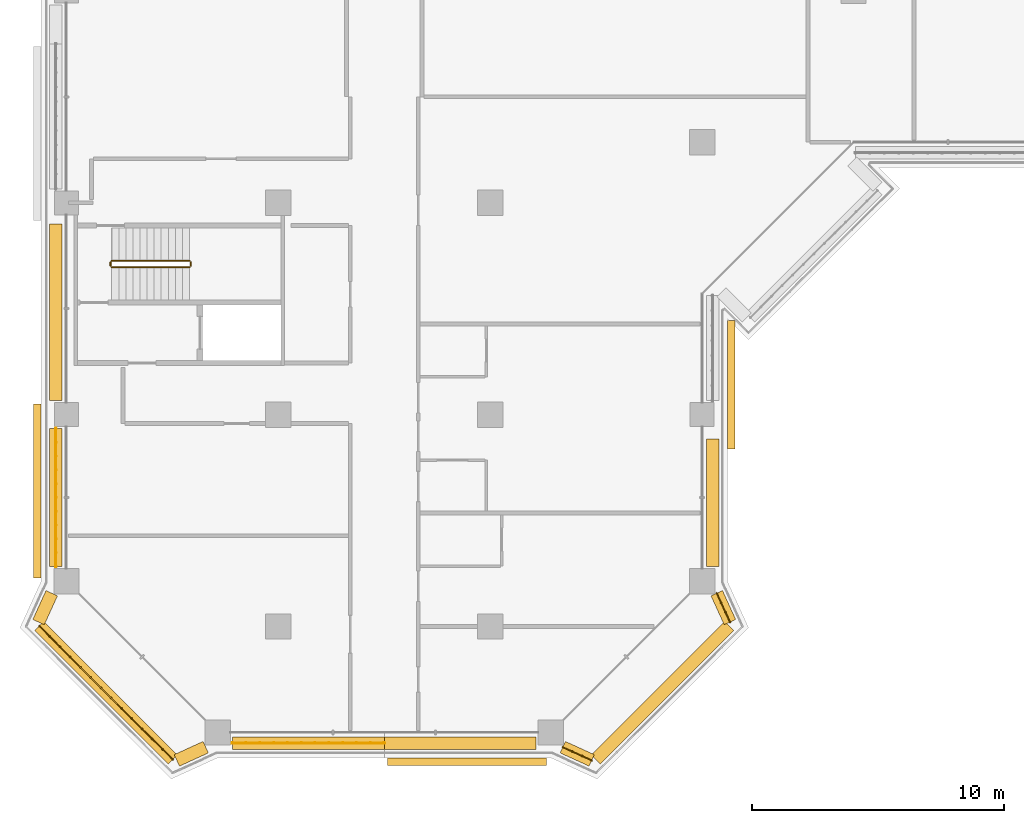
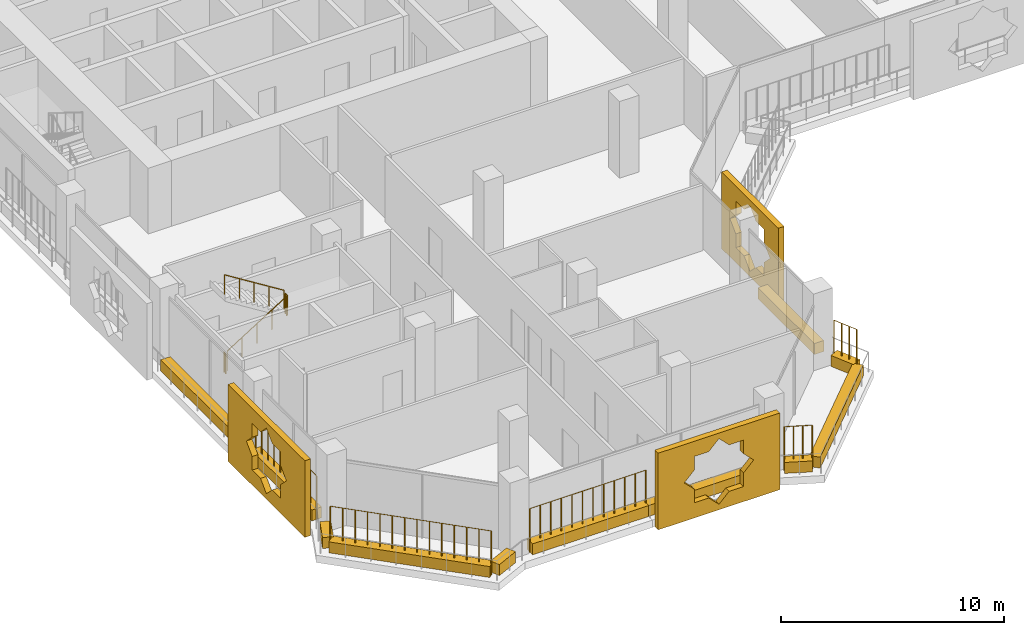
# One storey, part 16 of 22: 14 coverings, 9 railings.
"""IFC4 building model written with IfcOpenShell, lengths in metres."""

from ifc_helpers import new_model, si_unit, direction, frame, origin, origin_2d, place, context, subcontext, project, spatial, polyline, rectangle, circle, outline, extrude, material, material_profile, profile_set, type_object, element, save


model = new_model("IFC4")

# Units and contexts
model_context = context("Model", 3, precision=1e-05, world=origin(), true_north=direction((0.0, 1.0)))
body_context = subcontext(model_context, "Body", "Model", "MODEL_VIEW")
ifc_project = project(units=[si_unit("LENGTHUNIT", "METRE"), si_unit("AREAUNIT", "SQUARE_METRE"), si_unit("VOLUMEUNIT", "CUBIC_METRE"), si_unit("PLANEANGLEUNIT", "RADIAN"), si_unit("MASSUNIT", "GRAM", prefix="KILO")], contexts=[model_context])

# Site, building, storey
site_placement = place(None, origin())
site = spatial("IfcSite", under=ifc_project, at=site_placement, CompositionType="ELEMENT")
building_placement = place(site_placement, origin())
building = spatial("IfcBuilding", under=site, at=building_placement, Name="Kawkab Arch Medical Tower", CompositionType="ELEMENT")
storey_placement = place(building_placement, frame((0.0, 0.0, 187.800048828125)))
storey = spatial("IfcBuildingStorey", under=building, at=storey_placement, Name="L43", CompositionType="ELEMENT", Elevation=187.800048828125)

# Coverings
ifc_material_1 = material(Name="Bronze anodised aluminium mashrabiya panel, eight-point star pattern", Category="aluminium")
ifc_material_profile_1 = material_profile(ifc_material_1, outline(polyline([(-2.550048828125, -2.10009765625), (2.550048828125, -2.10009765625), (2.550048828125, 2.10009765625), (-2.550048828125, 2.10009765625), (-2.550048828125, -2.10009765625)]), holes=[polyline([(1.800048828125, 0.0), (1.272705078125, 0.527099609375), (1.272705078125, 1.272705078125), (0.527099609375, 1.272705078125), (0.0, 1.800048828125), (-0.527099609375, 1.272705078125), (-1.272705078125, 1.272705078125), (-1.272705078125, 0.527099609375), (-1.800048828125, 0.0), (-1.272705078125, -0.527099609375), (-1.272705078125, -1.272705078125), (-0.527099609375, -1.272705078125), (0.0, -1.800048828125), (0.527099609375, -1.272705078125), (1.272705078125, -1.272705078125), (1.272705078125, -0.527099609375), (1.800048828125, 0.0)])]), Name="Mashrabiya panel 5100x4200")
ifc_profile_set_1 = profile_set([ifc_material_profile_1], Name="Bronze anodised aluminium mashrabiya panel, eight-point star pattern")
covering_type_1 = type_object("IfcCoveringType", Name="Mashrabiya panel 5100 x 4200", PredefinedType="USERDEFINED", material=ifc_profile_set_1)
covering_1_placement = place(storey_placement, frame((26.199951171875, -40.807373046875, 1.699951171875), z_axis=(1.0, 0.0, 0.0), x_axis=(0.0, 1.0, 0.0)))
element("IfcCovering", 1, at=covering_1_placement, inside=storey, type_object=covering_type_1, Name="Mashrabiya panel L43.LOG-01-01.12", ObjectType="SCREEN", PredefinedType="USERDEFINED", context=body_context, shape_type="SweptSolid", body=[
    extrude(outline(polyline([(-2.550048828125, -2.10009765625), (2.550048828125, -2.10009765625), (2.550048828125, 2.10009765625), (-2.550048828125, 2.10009765625), (-2.550048828125, -2.10009765625)]), holes=[polyline([(1.800048828125, 0.0), (1.272705078125, 0.527099609375), (1.272705078125, 1.272705078125), (0.527099609375, 1.272705078125), (0.0, 1.800048828125), (-0.527099609375, 1.272705078125), (-1.272705078125, 1.272705078125), (-1.272705078125, 0.527099609375), (-1.800048828125, 0.0), (-1.272705078125, -0.527099609375), (-1.272705078125, -1.272705078125), (-0.527099609375, -1.272705078125), (0.0, -1.800048828125), (0.527099609375, -1.272705078125), (1.272705078125, -1.272705078125), (1.272705078125, -0.527099609375), (1.800048828125, 0.0)])]), origin(), (0.0, 0.0, 1.0), 0.300048828125),
])
ifc_material_2 = material(Name="Bronze anodised aluminium mashrabiya panel, eight-point star pattern", Category="aluminium")
ifc_material_profile_2 = material_profile(ifc_material_2, outline(polyline([(-3.14990234375, -2.10009765625), (3.14990234375, -2.10009765625), (3.14990234375, 2.10009765625), (-3.14990234375, 2.10009765625), (-3.14990234375, -2.10009765625)]), holes=[polyline([(1.800048828125, 0.0), (1.272705078125, 0.527099609375), (1.272705078125, 1.272705078125), (0.527099609375, 1.272705078125), (0.0, 1.800048828125), (-0.527099609375, 1.272705078125), (-1.272705078125, 1.272705078125), (-1.272705078125, 0.527099609375), (-1.800048828125, 0.0), (-1.272705078125, -0.527099609375), (-1.272705078125, -1.272705078125), (-0.527099609375, -1.272705078125), (0.0, -1.800048828125), (0.527099609375, -1.272705078125), (1.272705078125, -1.272705078125), (1.272705078125, -0.527099609375), (1.800048828125, 0.0)])]), Name="Mashrabiya panel 6300x4200")
ifc_profile_set_2 = profile_set([ifc_material_profile_2], Name="Bronze anodised aluminium mashrabiya panel, eight-point star pattern")
covering_type_2 = type_object("IfcCoveringType", Name="Mashrabiya panel 6300 x 4200", PredefinedType="USERDEFINED", material=ifc_profile_set_2)
covering_2_placement = place(storey_placement, frame((15.881103515625, -55.60009765625, 1.699951171875), z_axis=(0.0, -1.0, 0.0), x_axis=(1.0, 0.0, 0.0)))
element("IfcCovering", 2, at=covering_2_placement, inside=storey, type_object=covering_type_2, Name="Mashrabiya panel L43.LOG-01-01.1", ObjectType="SCREEN", PredefinedType="USERDEFINED", context=body_context, shape_type="SweptSolid", body=[
    extrude(outline(polyline([(-3.14990234375, -2.10009765625), (3.14990234375, -2.10009765625), (3.14990234375, 2.10009765625), (-3.14990234375, 2.10009765625), (-3.14990234375, -2.10009765625)]), holes=[polyline([(1.800048828125, 0.0), (1.272705078125, 0.527099609375), (1.272705078125, 1.272705078125), (0.527099609375, 1.272705078125), (0.0, 1.800048828125), (-0.527099609375, 1.272705078125), (-1.272705078125, 1.272705078125), (-1.272705078125, 0.527099609375), (-1.800048828125, 0.0), (-1.272705078125, -0.527099609375), (-1.272705078125, -1.272705078125), (-0.527099609375, -1.272705078125), (0.0, -1.800048828125), (0.527099609375, -1.272705078125), (1.272705078125, -1.272705078125), (1.272705078125, -0.527099609375), (1.800048828125, 0.0)])]), origin(), (0.0, 0.0, 1.0), 0.2998046875),
])
ifc_material_3 = material(Name="Bronze anodised aluminium mashrabiya panel, eight-point star pattern", Category="aluminium")
ifc_material_profile_3 = material_profile(ifc_material_3, outline(polyline([(-3.449951171875, -2.10009765625), (3.449951171875, -2.10009765625), (3.449951171875, 2.10009765625), (-3.449951171875, 2.10009765625), (-3.449951171875, -2.10009765625)]), holes=[polyline([(1.800048828125, 0.0), (1.272705078125, 0.527099609375), (1.272705078125, 1.272705078125), (0.527099609375, 1.272705078125), (0.0, 1.800048828125), (-0.527099609375, 1.272705078125), (-1.272705078125, 1.272705078125), (-1.272705078125, 0.527099609375), (-1.800048828125, 0.0), (-1.272705078125, -0.527099609375), (-1.272705078125, -1.272705078125), (-0.527099609375, -1.272705078125), (0.0, -1.800048828125), (0.527099609375, -1.272705078125), (1.272705078125, -1.272705078125), (1.272705078125, -0.527099609375), (1.800048828125, 0.0)])]), Name="Mashrabiya panel 6900x4200")
ifc_profile_set_3 = profile_set([ifc_material_profile_3], Name="Bronze anodised aluminium mashrabiya panel, eight-point star pattern")
covering_type_3 = type_object("IfcCoveringType", Name="Mashrabiya panel 6900 x 4200", PredefinedType="USERDEFINED", material=ifc_profile_set_3)
covering_3_placement = place(storey_placement, frame((-1.0, -45.03173828125, 1.699951171875), z_axis=(-1.0, 0.0, 0.0), x_axis=(0.0, -1.0, 0.0)))
element("IfcCovering", 3, at=covering_3_placement, inside=storey, type_object=covering_type_3, Name="Mashrabiya panel L43.LOG-01-01.2", ObjectType="SCREEN", PredefinedType="USERDEFINED", context=body_context, shape_type="SweptSolid", body=[
    extrude(outline(polyline([(-3.449951171875, -2.10009765625), (3.449951171875, -2.10009765625), (3.449951171875, 2.10009765625), (-3.449951171875, 2.10009765625), (-3.449951171875, -2.10009765625)]), holes=[polyline([(1.800048828125, 0.0), (1.272705078125, 0.527099609375), (1.272705078125, 1.272705078125), (0.527099609375, 1.272705078125), (0.0, 1.800048828125), (-0.527099609375, 1.272705078125), (-1.272705078125, 1.272705078125), (-1.272705078125, 0.527099609375), (-1.800048828125, 0.0), (-1.272705078125, -0.527099609375), (-1.272705078125, -1.272705078125), (-0.527099609375, -1.272705078125), (0.0, -1.800048828125), (0.527099609375, -1.272705078125), (1.272705078125, -1.272705078125), (1.272705078125, -0.527099609375), (1.800048828125, 0.0)])]), origin(), (0.0, 0.0, 1.0), 0.300048828125),
])
ifc_material_4 = material(Name="Planting soil in a precast trough", Category="concrete")
ifc_material_profile_4 = material_profile(ifc_material_4, rectangle(XDim=0.5, YDim=0.60009765625, at=origin_2d()), Name="Trough 500x600")
ifc_profile_set_4 = profile_set([ifc_material_profile_4], Name="Planting soil in a precast trough")
covering_type_4 = type_object("IfcCoveringType", Name="Planter trough 500 x 600", PredefinedType="USERDEFINED", material=ifc_profile_set_4)
covering_4_placement = place(storey_placement, frame((20.821044921875, -55.701904296875, 0.300048828125), z_axis=(-0.909780461959, 0.415089762627, 0.0), x_axis=(-0.415089762627, -0.909780461959, 0.0)))
element("IfcCovering", 4, at=covering_4_placement, inside=storey, type_object=covering_type_4, Name="Planter L43.LOG-01-01.1", ObjectType="PLANTER", PredefinedType="USERDEFINED", context=body_context, shape_type="SweptSolid", body=[
    extrude(rectangle(XDim=0.5, YDim=0.60009765625, at=origin_2d()), origin(), (0.0, 0.0, 1.0), 1.257568359375),
])
for number, where, z_axis, x_axis, name in (
    (5, (18.6201171875, -55.02001953125, 0.300048828125), (-1.0, 0.0, 0.0), (0.0, -1.0, 0.0), "Planter L43.LOG-01-01.2"),
    (6, (12.60009765625, -55.02001953125, 0.300048828125), (-1.0, 0.0, 0.0), (0.0, -1.0, 0.0), "Planter L43.LOG-01-01.3"),
):
    element("IfcCovering", number, at=place(storey_placement, frame(where, z_axis=z_axis, x_axis=x_axis)), inside=storey, type_object=covering_type_4, Name=name, ObjectType="PLANTER", PredefinedType="USERDEFINED", context=body_context, shape_type="SweptSolid", body=[
        extrude(rectangle(XDim=0.5, YDim=0.60009765625, at=origin_2d()), origin(), (0.0, 0.0, 1.0), 6.02001953125),
    ])
covering_5_placement = place(storey_placement, frame((5.52294921875, -55.179931640625, 0.300048828125), z_axis=(-0.909780461959, -0.415089762627, 0.0), x_axis=(0.415089762627, -0.909780461959, 0.0)))
element("IfcCovering", 7, at=covering_5_placement, inside=storey, type_object=covering_type_4, Name="Planter L43.LOG-01-01.4", ObjectType="PLANTER", PredefinedType="USERDEFINED", context=body_context, shape_type="SweptSolid", body=[
    extrude(rectangle(XDim=0.5, YDim=0.60009765625, at=origin_2d()), origin(), (0.0, 0.0, 1.0), 1.257568359375),
])
covering_6_placement = place(storey_placement, frame((4.217041015625, -55.673095703125, 0.300048828125), z_axis=(-0.707106781187, 0.707106781187, 0.0), x_axis=(-0.707106781187, -0.707106781187, 0.0)))
element("IfcCovering", 8, at=covering_6_placement, inside=storey, type_object=covering_type_4, Name="Planter L43.LOG-01-01.5", ObjectType="PLANTER", PredefinedType="USERDEFINED", context=body_context, shape_type="SweptSolid", body=[
    extrude(rectangle(XDim=0.5, YDim=0.60009765625, at=origin_2d()), origin(), (0.0, 0.0, 1.0), 7.481201171875),
])
covering_7_placement = place(storey_placement, frame((-1.10205078125, -50.220947265625, 0.300048828125), z_axis=(0.415089762627, 0.909780461959, 0.0), x_axis=(-0.909780461959, 0.415089762627, 0.0)))
element("IfcCovering", 9, at=covering_7_placement, inside=storey, type_object=covering_type_4, Name="Planter L43.LOG-01-01.6", ObjectType="PLANTER", PredefinedType="USERDEFINED", context=body_context, shape_type="SweptSolid", body=[
    extrude(rectangle(XDim=0.5, YDim=0.60009765625, at=origin_2d()), origin(), (0.0, 0.0, 1.0), 1.257568359375),
])
covering_8_placement = place(storey_placement, frame((-0.419921875, -48.02001953125, 0.300048828125), z_axis=(0.0, 1.0, 0.0), x_axis=(-1.0, 0.0, 0.0)))
element("IfcCovering", 10, at=covering_8_placement, inside=storey, type_object=covering_type_4, Name="Planter L43.LOG-01-01.7", ObjectType="PLANTER", PredefinedType="USERDEFINED", context=body_context, shape_type="SweptSolid", body=[
    extrude(rectangle(XDim=0.5, YDim=0.60009765625, at=origin_2d()), origin(), (0.0, 0.0, 1.0), 5.465087890625),
])
covering_9_placement = place(storey_placement, frame((-0.419921875, -41.445068359375, 0.300048828125), z_axis=(0.0, 1.0, 0.0), x_axis=(-1.0, 0.0, 0.0)))
element("IfcCovering", 11, at=covering_9_placement, inside=storey, type_object=covering_type_4, Name="Planter L43.LOG-01-01.8", ObjectType="PLANTER", PredefinedType="USERDEFINED", context=body_context, shape_type="SweptSolid", body=[
    extrude(rectangle(XDim=0.5, YDim=0.60009765625, at=origin_2d()), origin(), (0.0, 0.0, 1.0), 7.003173828125),
])
covering_10_placement = place(storey_placement, frame((25.6201171875, -42.955078125, 0.300048828125), z_axis=(0.0, -1.0, 0.0), x_axis=(1.0, 0.0, 0.0)))
element("IfcCovering", 12, at=covering_10_placement, inside=storey, type_object=covering_type_4, Name="Planter L43.LOG-01-01.42", ObjectType="PLANTER", PredefinedType="USERDEFINED", context=body_context, shape_type="SweptSolid", body=[
    extrude(rectangle(XDim=0.5, YDim=0.60009765625, at=origin_2d()), origin(), (0.0, 0.0, 1.0), 5.06494140625),
])
covering_11_placement = place(storey_placement, frame((25.780029296875, -49.076904296875, 0.300048828125), z_axis=(0.415089762627, -0.909780461959, 0.0), x_axis=(0.909780461959, 0.415089762627, 0.0)))
element("IfcCovering", 13, at=covering_11_placement, inside=storey, type_object=covering_type_4, Name="Planter L43.LOG-01-01.43", ObjectType="PLANTER", PredefinedType="USERDEFINED", context=body_context, shape_type="SweptSolid", body=[
    extrude(rectangle(XDim=0.5, YDim=0.60009765625, at=origin_2d()), origin(), (0.0, 0.0, 1.0), 1.257568359375),
])
covering_12_placement = place(storey_placement, frame((26.27294921875, -50.383056640625, 0.300048828125), z_axis=(-0.707106781187, -0.707106781187, 0.0), x_axis=(0.707106781187, -0.707106781187, 0.0)))
element("IfcCovering", 14, at=covering_12_placement, inside=storey, type_object=covering_type_4, Name="Planter L43.LOG-01-01.44", ObjectType="PLANTER", PredefinedType="USERDEFINED", context=body_context, shape_type="SweptSolid", body=[
    extrude(rectangle(XDim=0.5, YDim=0.60009765625, at=origin_2d()), origin(), (0.0, 0.0, 1.0), 7.481201171875),
])

# Railings
ifc_material_5 = material(Name="Bronze anodised aluminium trellis for climbing plants", Category="aluminium")
railing_type_1 = type_object("IfcRailingType", Name="Planting trellis 2400", PredefinedType="USERDEFINED", material=ifc_material_5)
railing_1_placement = place(storey_placement, frame((20.821044921875, -55.701904296875, 0.0)))
element("IfcRailing", 15, at=railing_1_placement, inside=storey, type_object=railing_type_1, Name="Planting trellis L43.LOG-01-01.1", ObjectType="TRELLIS", PredefinedType="USERDEFINED", context=body_context, shape_type="SweptSolid", body=[
    extrude(circle(Radius=0.01513671875, at=origin_2d()), frame((0.0, 0.0, 2.384765625), z_axis=(-0.909780461959, 0.415089762627, 0.0), x_axis=(-0.415089762627, -0.909780461959, 0.0)), (0.0, 0.0, 1.0), 1.257568359375),
    extrude(circle(Radius=0.030029296875, at=origin_2d()), origin(), (0.0, 0.0, 1.0), 2.369873046875),
    extrude(circle(Radius=0.030029296875, at=origin_2d()), frame((-0.38134765625, 0.174072265625, 0.0)), (0.0, 0.0, 1.0), 2.369873046875),
    extrude(circle(Radius=0.030029296875, at=origin_2d()), frame((-0.7626953125, 0.347900390625, 0.0)), (0.0, 0.0, 1.0), 2.369873046875),
    extrude(circle(Radius=0.030029296875, at=origin_2d()), frame((-1.14404296875, 0.52197265625, 0.0)), (0.0, 0.0, 1.0), 2.369873046875),
])
railing_2_placement = place(storey_placement, frame((12.60009765625, -55.02001953125, 0.0)))
element("IfcRailing", 16, at=railing_2_placement, inside=storey, type_object=railing_type_1, Name="Planting trellis L43.LOG-01-01.3", ObjectType="TRELLIS", PredefinedType="USERDEFINED", context=body_context, shape_type="SweptSolid", body=[
    extrude(circle(Radius=0.01513671875, at=origin_2d()), frame((0.0, 0.0, 2.384765625), z_axis=(-1.0, 0.0, 0.0), x_axis=(0.0, -1.0, 0.0)), (0.0, 0.0, 1.0), 6.02001953125),
    extrude(circle(Radius=0.030029296875, at=origin_2d()), origin(), (0.0, 0.0, 1.0), 2.369873046875),
    extrude(circle(Radius=0.030029296875, at=origin_2d()), frame((-0.54736328125, 0.0, 0.0)), (0.0, 0.0, 1.0), 2.369873046875),
    extrude(circle(Radius=0.030029296875, at=origin_2d()), frame((-1.094482421875, 0.0, 0.0)), (0.0, 0.0, 1.0), 2.369873046875),
    extrude(circle(Radius=0.030029296875, at=origin_2d()), frame((-1.641845703125, 0.0, 0.0)), (0.0, 0.0, 1.0), 2.369873046875),
    extrude(circle(Radius=0.030029296875, at=origin_2d()), frame((-2.189208984375, 0.0, 0.0)), (0.0, 0.0, 1.0), 2.369873046875),
    extrude(circle(Radius=0.030029296875, at=origin_2d()), frame((-2.736328125, 0.0, 0.0)), (0.0, 0.0, 1.0), 2.369873046875),
    extrude(circle(Radius=0.030029296875, at=origin_2d()), frame((-3.28369140625, 0.0, 0.0)), (0.0, 0.0, 1.0), 2.369873046875),
    extrude(circle(Radius=0.030029296875, at=origin_2d()), frame((-3.830810546875, 0.0, 0.0)), (0.0, 0.0, 1.0), 2.369873046875),
    extrude(circle(Radius=0.030029296875, at=origin_2d()), frame((-4.378173828125, 0.0, 0.0)), (0.0, 0.0, 1.0), 2.369873046875),
    extrude(circle(Radius=0.030029296875, at=origin_2d()), frame((-4.925537109375, 0.0, 0.0)), (0.0, 0.0, 1.0), 2.369873046875),
    extrude(circle(Radius=0.030029296875, at=origin_2d()), frame((-5.47265625, 0.0, 0.0)), (0.0, 0.0, 1.0), 2.369873046875),
    extrude(circle(Radius=0.030029296875, at=origin_2d()), frame((-6.02001953125, 0.0, 0.0)), (0.0, 0.0, 1.0), 2.369873046875),
])
railing_3_placement = place(storey_placement, frame((4.217041015625, -55.673095703125, 0.0)))
element("IfcRailing", 17, at=railing_3_placement, inside=storey, type_object=railing_type_1, Name="Planting trellis L43.LOG-01-01.5", ObjectType="TRELLIS", PredefinedType="USERDEFINED", context=body_context, shape_type="SweptSolid", body=[
    extrude(circle(Radius=0.01513671875, at=origin_2d()), frame((0.0, 0.0, 2.384765625), z_axis=(-0.707106781187, 0.707106781187, 0.0), x_axis=(-0.707106781187, -0.707106781187, 0.0)), (0.0, 0.0, 1.0), 7.481201171875),
    extrude(circle(Radius=0.030029296875, at=origin_2d()), origin(), (0.0, 0.0, 1.0), 2.369873046875),
    extrude(circle(Radius=0.030029296875, at=origin_2d()), frame((-0.406982421875, 0.406982421875, 0.0)), (0.0, 0.0, 1.0), 2.369873046875),
    extrude(circle(Radius=0.030029296875, at=origin_2d()), frame((-0.81396484375, 0.81396484375, 0.0)), (0.0, 0.0, 1.0), 2.369873046875),
    extrude(circle(Radius=0.030029296875, at=origin_2d()), frame((-1.220703125, 1.220703125, 0.0)), (0.0, 0.0, 1.0), 2.369873046875),
    extrude(circle(Radius=0.030029296875, at=origin_2d()), frame((-1.627685546875, 1.627685546875, 0.0)), (0.0, 0.0, 1.0), 2.369873046875),
    extrude(circle(Radius=0.030029296875, at=origin_2d()), frame((-2.03466796875, 2.03466796875, 0.0)), (0.0, 0.0, 1.0), 2.369873046875),
    extrude(circle(Radius=0.030029296875, at=origin_2d()), frame((-2.441650390625, 2.441650390625, 0.0)), (0.0, 0.0, 1.0), 2.369873046875),
    extrude(circle(Radius=0.030029296875, at=origin_2d()), frame((-2.848388671875, 2.848388671875, 0.0)), (0.0, 0.0, 1.0), 2.369873046875),
    extrude(circle(Radius=0.030029296875, at=origin_2d()), frame((-3.25537109375, 3.25537109375, 0.0)), (0.0, 0.0, 1.0), 2.369873046875),
    extrude(circle(Radius=0.030029296875, at=origin_2d()), frame((-3.662353515625, 3.662353515625, 0.0)), (0.0, 0.0, 1.0), 2.369873046875),
    extrude(circle(Radius=0.030029296875, at=origin_2d()), frame((-4.0693359375, 4.0693359375, 0.0)), (0.0, 0.0, 1.0), 2.369873046875),
    extrude(circle(Radius=0.030029296875, at=origin_2d()), frame((-4.47607421875, 4.47607421875, 0.0)), (0.0, 0.0, 1.0), 2.369873046875),
    extrude(circle(Radius=0.030029296875, at=origin_2d()), frame((-4.883056640625, 4.883056640625, 0.0)), (0.0, 0.0, 1.0), 2.369873046875),
    extrude(circle(Radius=0.030029296875, at=origin_2d()), frame((-5.2900390625, 5.2900390625, 0.0)), (0.0, 0.0, 1.0), 2.369873046875),
])
railing_4_placement = place(storey_placement, frame((-0.419921875, -48.02001953125, 0.0)))
element("IfcRailing", 18, at=railing_4_placement, inside=storey, type_object=railing_type_1, Name="Planting trellis L43.LOG-01-01.7", ObjectType="TRELLIS", PredefinedType="USERDEFINED", context=body_context, shape_type="SweptSolid", body=[
    extrude(circle(Radius=0.01513671875, at=origin_2d()), frame((0.0, 0.0, 2.384765625), z_axis=(0.0, 1.0, 0.0), x_axis=(-1.0, 0.0, 0.0)), (0.0, 0.0, 1.0), 5.465087890625),
    extrude(circle(Radius=0.030029296875, at=origin_2d()), origin(), (0.0, 0.0, 1.0), 2.369873046875),
    extrude(circle(Radius=0.030029296875, at=origin_2d()), frame((0.0, 0.54638671875, 0.0)), (0.0, 0.0, 1.0), 2.369873046875),
    extrude(circle(Radius=0.030029296875, at=origin_2d()), frame((0.0, 1.093017578125, 0.0)), (0.0, 0.0, 1.0), 2.369873046875),
    extrude(circle(Radius=0.030029296875, at=origin_2d()), frame((0.0, 1.6396484375, 0.0)), (0.0, 0.0, 1.0), 2.369873046875),
    extrude(circle(Radius=0.030029296875, at=origin_2d()), frame((0.0, 2.18603515625, 0.0)), (0.0, 0.0, 1.0), 2.369873046875),
    extrude(circle(Radius=0.030029296875, at=origin_2d()), frame((0.0, 2.732421875, 0.0)), (0.0, 0.0, 1.0), 2.369873046875),
    extrude(circle(Radius=0.030029296875, at=origin_2d()), frame((0.0, 3.279052734375, 0.0)), (0.0, 0.0, 1.0), 2.369873046875),
    extrude(circle(Radius=0.030029296875, at=origin_2d()), frame((0.0, 3.825439453125, 0.0)), (0.0, 0.0, 1.0), 2.369873046875),
    extrude(circle(Radius=0.030029296875, at=origin_2d()), frame((0.0, 4.3720703125, 0.0)), (0.0, 0.0, 1.0), 2.369873046875),
    extrude(circle(Radius=0.030029296875, at=origin_2d()), frame((0.0, 4.91845703125, 0.0)), (0.0, 0.0, 1.0), 2.369873046875),
    extrude(circle(Radius=0.030029296875, at=origin_2d()), frame((0.0, 5.465087890625, 0.0)), (0.0, 0.0, 1.0), 2.369873046875),
])
railing_5_placement = place(storey_placement, frame((25.780029296875, -49.076904296875, 0.0)))
element("IfcRailing", 19, at=railing_5_placement, inside=storey, type_object=railing_type_1, Name="Planting trellis L43.LOG-01-01.43", ObjectType="TRELLIS", PredefinedType="USERDEFINED", context=body_context, shape_type="SweptSolid", body=[
    extrude(circle(Radius=0.01513671875, at=origin_2d()), frame((0.0, 0.0, 2.384765625), z_axis=(0.415089762627, -0.909780461959, 0.0), x_axis=(0.909780461959, 0.415089762627, 0.0)), (0.0, 0.0, 1.0), 1.257568359375),
    extrude(circle(Radius=0.030029296875, at=origin_2d()), origin(), (0.0, 0.0, 1.0), 2.369873046875),
    extrude(circle(Radius=0.030029296875, at=origin_2d()), frame((0.174072265625, -0.38134765625, 0.0)), (0.0, 0.0, 1.0), 2.369873046875),
    extrude(circle(Radius=0.030029296875, at=origin_2d()), frame((0.347900390625, -0.7626953125, 0.0)), (0.0, 0.0, 1.0), 2.369873046875),
    extrude(circle(Radius=0.030029296875, at=origin_2d()), frame((0.52197265625, -1.14404296875, 0.0)), (0.0, 0.0, 1.0), 2.369873046875),
])
ifc_material_6 = material(Name="Stainless steel", Category="steel")
railing_type_2 = type_object("IfcRailingType", Name="Stair guard 1100", PredefinedType="GUARDRAIL", material=ifc_material_6)
railing_6_placement = place(storey_placement, frame((1.800048828125, -36.14990234375, 0.175048828125)))
element("IfcRailing", 20, at=railing_6_placement, inside=storey, type_object=railing_type_2, Name="L43 ST6 stair guard 1", PredefinedType="GUARDRAIL", context=body_context, shape_type="SweptSolid", body=[
    extrude(circle(Radius=0.02392578125, at=origin_2d()), frame((0.0, 0.0, 1.076171875), z_axis=(0.848009633417, 0.0, 0.529980812513), x_axis=(0.0, 1.0, 0.0)), (0.0, 0.0, 1.0), 3.6318359375),
    extrude(circle(Radius=0.02099609375, at=origin_2d()), origin(), (0.0, 0.0, 1.0), 1.052001953125),
    extrude(circle(Radius=0.02099609375, at=origin_2d()), frame((0.77001953125, 0.0, 0.481201171875)), (0.0, 0.0, 1.0), 1.052001953125),
    extrude(circle(Radius=0.02099609375, at=origin_2d()), frame((1.5400390625, 0.0, 0.96240234375)), (0.0, 0.0, 1.0), 1.052001953125),
    extrude(circle(Radius=0.02099609375, at=origin_2d()), frame((2.309814453125, 0.0, 1.443603515625)), (0.0, 0.0, 1.0), 1.052001953125),
    extrude(circle(Radius=0.02099609375, at=origin_2d()), frame((3.079833984375, 0.0, 1.9248046875)), (0.0, 0.0, 1.0), 1.052001953125),
])
railing_7_placement = place(storey_placement, frame((4.929931640625, -36.10009765625, 2.099853515625)))
element("IfcRailing", 21, at=railing_7_placement, inside=storey, type_object=railing_type_2, Name="L43 ST6 stair guard 2", PredefinedType="GUARDRAIL", context=body_context, shape_type="SweptSolid", body=[
    extrude(circle(Radius=0.02392578125, at=origin_2d()), frame((0.0, 0.0, 1.076171875), z_axis=(0.0, 1.0, 0.0), x_axis=(-1.0, 0.0, 0.0)), (0.0, 0.0, 1.0), 0.150146484375),
    extrude(circle(Radius=0.02099609375, at=origin_2d()), origin(), (0.0, 0.0, 1.0), 1.052001953125),
    extrude(circle(Radius=0.02099609375, at=origin_2d()), frame((0.0, 0.150146484375, 0.0)), (0.0, 0.0, 1.0), 1.052001953125),
])
railing_8_placement = place(storey_placement, frame((4.8798828125, -35.89990234375, 2.27490234375)))
element("IfcRailing", 22, at=railing_8_placement, inside=storey, type_object=railing_type_2, Name="L43 ST6 stair guard 3", PredefinedType="GUARDRAIL", context=body_context, shape_type="SweptSolid", body=[
    extrude(circle(Radius=0.02392578125, at=origin_2d()), frame((0.0, 0.0, 1.076171875), z_axis=(-0.847979421464, 0.0, 0.530029150871), x_axis=(0.0, -1.0, 0.0)), (0.0, 0.0, 1.0), 3.632080078125),
    extrude(circle(Radius=0.02099609375, at=origin_2d()), origin(), (0.0, 0.0, 1.0), 1.052001953125),
    extrude(circle(Radius=0.02099609375, at=origin_2d()), frame((-0.77001953125, 0.0, 0.481201171875)), (0.0, 0.0, 1.0), 1.052001953125),
    extrude(circle(Radius=0.02099609375, at=origin_2d()), frame((-1.5400390625, 0.0, 0.96240234375)), (0.0, 0.0, 1.0), 1.052001953125),
    extrude(circle(Radius=0.02099609375, at=origin_2d()), frame((-2.309814453125, 0.0, 1.44384765625)), (0.0, 0.0, 1.0), 1.052001953125),
    extrude(circle(Radius=0.02099609375, at=origin_2d()), frame((-3.079833984375, 0.0, 1.925048828125)), (0.0, 0.0, 1.0), 1.052001953125),
])
railing_9_placement = place(storey_placement, frame((1.75, -36.10009765625, 0.0)))
element("IfcRailing", 23, at=railing_9_placement, inside=storey, type_object=railing_type_2, Name="L43 ST6 stair guard 4", PredefinedType="GUARDRAIL", context=body_context, shape_type="SweptSolid", body=[
    extrude(circle(Radius=0.02392578125, at=origin_2d()), frame((0.0, 0.0, 1.076171875), z_axis=(0.0, 1.0, 0.0), x_axis=(-1.0, 0.0, 0.0)), (0.0, 0.0, 1.0), 0.150146484375),
    extrude(circle(Radius=0.02099609375, at=origin_2d()), origin(), (0.0, 0.0, 1.0), 1.052001953125),
    extrude(circle(Radius=0.02099609375, at=origin_2d()), frame((0.0, 0.150146484375, 0.0)), (0.0, 0.0, 1.0), 1.052001953125),
])

save(model, "model.ifc")
